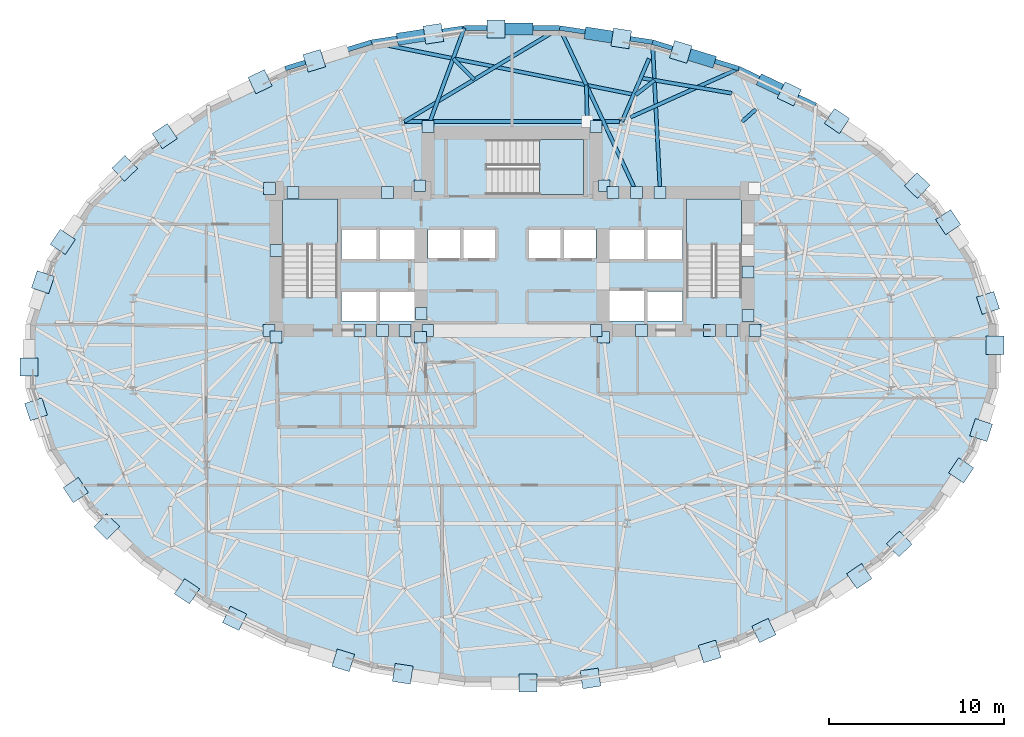
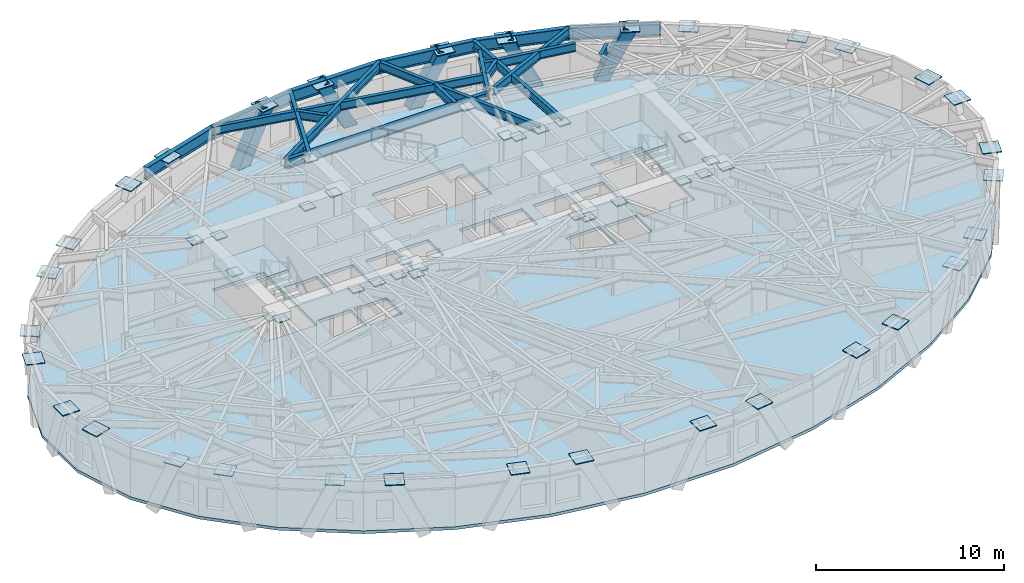
# One storey, part 5 of 14: 59 plates, 19 beams, 5 members, 4 slabs, 3 elements without a shape of their own.
"""IFC4 building model written with IfcOpenShell, lengths in metres."""

from ifc_helpers import new_model, si_unit, direction, frame, origin, origin_2d, place, context, subcontext, project, spatial, polyline, rectangle, hollow_rectangle, i_section, outline, extrude, material, layer, layer_set, material_profile, profile_set, type_object, element, aggregate, save


model = new_model("IFC4")

# Units and contexts
model_context = context("Model", 3, precision=1e-05, world=origin(), true_north=direction((0.0, 1.0)))
body_context = subcontext(model_context, "Body", "Model", "MODEL_VIEW")
ifc_project = project(units=[si_unit("LENGTHUNIT", "METRE"), si_unit("AREAUNIT", "SQUARE_METRE"), si_unit("VOLUMEUNIT", "CUBIC_METRE"), si_unit("PLANEANGLEUNIT", "RADIAN"), si_unit("MASSUNIT", "GRAM", prefix="KILO")], contexts=[model_context])

# Site, building, storey
site_placement = place(None, origin())
site = spatial("IfcSite", under=ifc_project, at=site_placement, CompositionType="ELEMENT")
building_placement = place(site_placement, origin())
building = spatial("IfcBuilding", under=site, at=building_placement, Name="Keldmark Tower", CompositionType="ELEMENT")
storey_placement = place(building_placement, frame((0.0, 0.0, 107.10009765625)))
storey = spatial("IfcBuildingStorey", under=building, at=storey_placement, Name="L28", CompositionType="ELEMENT", Elevation=107.10009765625)

# Members
ifc_material_1 = material(Name="Steel ASTM A572 Grade 50", Category="steel")
ifc_material_profile_1 = material_profile(ifc_material_1, hollow_rectangle(XDim=0.699951171875, YDim=0.699951171875, WallThickness=0.044921875, at=origin_2d()), Name="BOX700X700X45")
ifc_profile_set_1 = profile_set([ifc_material_profile_1], Name="Steel ASTM A572 Grade 50")
member_type = type_object("IfcMemberType", Name="Diagrid Zone 2 Brace BOX700X700X45", PredefinedType="BRACE", material=ifc_profile_set_1)
member_1_placement = place(storey_placement, frame((14.4150390625, 15.720458984375, -0.27001953125), z_axis=(0.384014962148, -0.183387258279, 0.904931832984), x_axis=(0.430935108563, 0.902382918836, 0.0)))
element("IfcMember", 1, at=member_1_placement, inside=storey, type_object=member_type, Name="L28 Perimeter Diagrid Brace 03A", PredefinedType="BRACE", context=body_context, shape_type="SweptSolid", body=[
    extrude(hollow_rectangle(XDim=0.699951171875, YDim=0.699951171875, WallThickness=0.044921875, at=origin_2d()), origin(), (0.0, 0.0, 1.0), 3.823486328125),
])
member_2_placement = place(storey_placement, frame((11.31005859375, 16.9189453125, -0.27001953125), z_axis=(-0.4259762555, 0.130389291317, 0.895289261893), x_axis=(-0.292690457434, -0.956207245385, 0.0)))
element("IfcMember", 2, at=member_2_placement, inside=storey, type_object=member_type, Name="L28 Perimeter Diagrid Brace 03B", PredefinedType="BRACE", context=body_context, shape_type="SweptSolid", body=[
    extrude(hollow_rectangle(XDim=0.699951171875, YDim=0.699951171875, WallThickness=0.044921875, at=origin_2d()), origin(), (0.0, 0.0, 1.0), 3.86474609375),
])
member_3_placement = place(storey_placement, frame((4.484375, 18.46142578125, -0.27001953125), z_axis=(0.454742835075, -0.069170031679, 0.887932689265), x_axis=(0.150378326098, 0.98862852429, 0.0)))
element("IfcMember", 3, at=member_3_placement, inside=storey, type_object=member_type, Name="L28 Perimeter Diagrid Brace 04A", PredefinedType="BRACE", context=body_context, shape_type="SweptSolid", body=[
    extrude(hollow_rectangle(XDim=0.699951171875, YDim=0.699951171875, WallThickness=0.044921875, at=origin_2d()), origin(), (0.0, 0.0, 1.0), 3.896728515625),
])
member_4_placement = place(storey_placement, frame((0.904052734375, 18.728759765625, -0.27001953125), z_axis=(-0.465504471346, 0.0, 0.885045528296), x_axis=(0.0, -1.0, 0.0)))
element("IfcMember", 4, at=member_4_placement, inside=storey, type_object=member_type, Name="L28 Perimeter Diagrid Brace 04B", PredefinedType="BRACE", context=body_context, shape_type="SweptSolid", body=[
    extrude(hollow_rectangle(XDim=0.699951171875, YDim=0.699951171875, WallThickness=0.044921875, at=origin_2d()), origin(), (0.0, 0.0, 1.0), 3.909423828125),
])
member_5_placement = place(storey_placement, frame((-6.267822265625, 18.189453125, -0.27001953125), z_axis=(0.454742835075, 0.069170031679, 0.887932689265), x_axis=(-0.150378326098, 0.98862852429, 0.0)))
element("IfcMember", 5, at=member_5_placement, inside=storey, type_object=member_type, Name="L28 Perimeter Diagrid Brace 05A", PredefinedType="BRACE", context=body_context, shape_type="SweptSolid", body=[
    extrude(hollow_rectangle(XDim=0.699951171875, YDim=0.699951171875, WallThickness=0.044921875, at=origin_2d()), origin(), (0.0, 0.0, 1.0), 3.896728515625),
])

# Beams
ifc_material_2 = material(Name="Steel ASTM A992 Grade 50", Category="steel")
ifc_material_profile_2 = material_profile(ifc_material_2, i_section(OverallWidth=0.22900390625, OverallDepth=0.612060546875, WebThickness=0.011962890625, FlangeThickness=0.01953125, at=origin_2d()), Name="W24X84")
ifc_profile_set_2 = profile_set([ifc_material_profile_2], Name="Steel ASTM A992 Grade 50")
beam_type_1 = type_object("IfcBeamType", Name="Primary Floor Girder W24X84", PredefinedType="BEAM", material=ifc_profile_set_2)
beam_1_placement = place(storey_placement, frame((6.15869140625, 13.4326171875, 3.00390625), z_axis=(-1.0, 0.0, 0.0), x_axis=(0.0, -1.0, 0.0)))
element("IfcBeam", 6, at=beam_1_placement, inside=storey, type_object=beam_type_1, Name="L28 Floor Ring Girder FG-R03", PredefinedType="BEAM", context=body_context, shape_type="SweptSolid", body=[
    extrude(i_section(OverallWidth=0.22900390625, OverallDepth=0.612060546875, WebThickness=0.011962890625, FlangeThickness=0.01953125, at=origin_2d()), origin(), (0.0, 0.0, 1.0), 12.3173828125),
])
ifc_material_3 = material(Name="Steel ASTM A992 Grade 50", Category="steel")
ifc_material_profile_3 = material_profile(ifc_material_3, i_section(OverallWidth=0.2099609375, OverallDepth=0.537109375, WebThickness=0.010986328125, FlangeThickness=0.017333984375, at=origin_2d()), Name="W21X68")
ifc_profile_set_3 = profile_set([ifc_material_profile_3], Name="Steel ASTM A992 Grade 50")
beam_type_2 = type_object("IfcBeamType", Name="Radial Tie Girder W21X68", PredefinedType="BEAM", material=ifc_profile_set_3)
beam_2_placement = place(storey_placement, frame((13.173583984375, 13.430419921875, 3.04150390625), z_axis=(0.751151083443, 0.660130327922, 0.0), x_axis=(-0.660130327922, 0.751151083443, 0.0)))
element("IfcBeam", 7, at=beam_2_placement, inside=storey, type_object=beam_type_2, Name="L28 Framing Pin Header PH-018", PredefinedType="BEAM", context=body_context, shape_type="SweptSolid", body=[
    extrude(i_section(OverallWidth=0.2099609375, OverallDepth=0.537109375, WebThickness=0.010986328125, FlangeThickness=0.017333984375, at=origin_2d()), origin(), (0.0, 0.0, 1.0), 1.062255859375),
])
beam_3_placement = place(storey_placement, frame((12.98486328125, 16.468017578125, 3.04150390625), z_axis=(-0.912145742508, -0.409866007891, 0.0), x_axis=(0.409866007891, -0.912145742508, 0.0)))
element("IfcBeam", 8, at=beam_3_placement, inside=storey, type_object=beam_type_2, Name="L28 Framing Pin Header PH-019", PredefinedType="BEAM", context=body_context, shape_type="SweptSolid", body=[
    extrude(i_section(OverallWidth=0.2099609375, OverallDepth=0.537109375, WebThickness=0.010986328125, FlangeThickness=0.017333984375, at=origin_2d()), origin(), (0.0, 0.0, 1.0), 6.800048828125),
])
beam_4_placement = place(storey_placement, frame((12.581298828125, 15.053955078125, 3.04150390625), z_axis=(-0.986041156876, 0.166501762596, 0.0), x_axis=(-0.166501762596, -0.986041156876, 0.0)))
element("IfcBeam", 9, at=beam_4_placement, inside=storey, type_object=beam_type_2, Name="L28 Local Collector Chord RT-07C", PredefinedType="BEAM", context=body_context, shape_type="SweptSolid", body=[
    extrude(i_section(OverallWidth=0.2099609375, OverallDepth=0.537109375, WebThickness=0.010986328125, FlangeThickness=0.017333984375, at=origin_2d()), origin(), (0.0, 0.0, 1.0), 5.34619140625),
])
beam_5_placement = place(storey_placement, frame((7.080078125, 14.958740234375, 3.04150390625), z_axis=(0.787685842988, 0.616077115917, 0.0), x_axis=(-0.616077115917, 0.787685842988, 0.0)))
element("IfcBeam", 10, at=beam_5_placement, inside=storey, type_object=beam_type_2, Name="L28 Framing Pin Header PH-020", PredefinedType="BEAM", context=body_context, shape_type="SweptSolid", body=[
    extrude(i_section(OverallWidth=0.2099609375, OverallDepth=0.537109375, WebThickness=0.010986328125, FlangeThickness=0.017333984375, at=origin_2d()), origin(), (0.0, 0.0, 1.0), 1.3671875),
])
beam_6_placement = place(storey_placement, frame((8.485595703125, 9.375, 3.04150390625), z_axis=(-0.051062569851, 0.998695456063, 0.0), x_axis=(-0.998695456063, -0.051062569851, 0.0)))
element("IfcBeam", 11, at=beam_6_placement, inside=storey, type_object=beam_type_2, Name="L28 Perimeter Radial Tie Girder RT-07", PredefinedType="BEAM", context=body_context, shape_type="SweptSolid", body=[
    extrude(i_section(OverallWidth=0.2099609375, OverallDepth=0.537109375, WebThickness=0.010986328125, FlangeThickness=0.017333984375, at=origin_2d()), origin(), (0.0, 0.0, 1.0), 8.61572265625),
])
beam_7_placement = place(storey_placement, frame((6.298828125, 13.4326171875, 3.04150390625), z_axis=(0.395437186935, 0.918493021851, 0.0), x_axis=(-0.918493021851, 0.395437186935, 0.0)))
element("IfcBeam", 12, at=beam_7_placement, inside=storey, type_object=beam_type_2, Name="L28 North Column Cantilever Girder East FG-TCN-E", PredefinedType="BEAM", context=body_context, shape_type="SweptSolid", body=[
    extrude(i_section(OverallWidth=0.2099609375, OverallDepth=0.537109375, WebThickness=0.010986328125, FlangeThickness=0.017333984375, at=origin_2d()), origin(), (0.0, 0.0, 1.0), 3.919921875),
])
beam_8_placement = place(storey_placement, frame((7.080078125, 14.958740234375, 3.04150390625), z_axis=(-0.980635427307, 0.195842178066, 0.0), x_axis=(-0.195842178066, -0.980635427307, 0.0)))
element("IfcBeam", 13, at=beam_8_placement, inside=storey, type_object=beam_type_2, Name="L28 Straddling Support Chord RT-08RB", PredefinedType="BEAM", context=body_context, shape_type="SweptSolid", body=[
    extrude(i_section(OverallWidth=0.2099609375, OverallDepth=0.537109375, WebThickness=0.010986328125, FlangeThickness=0.017333984375, at=origin_2d()), origin(), (0.0, 0.0, 1.0), 15.42431640625),
])
beam_9_placement = place(storey_placement, frame((4.311279296875, 13.4326171875, 3.04150390625), z_axis=(-0.025922835673, 0.999663946829, 0.0), x_axis=(-0.999663946829, -0.025922835673, 0.0)))
element("IfcBeam", 14, at=beam_9_placement, inside=storey, type_object=beam_type_2, Name="L28 Framing Pin Header PH-048", PredefinedType="BEAM", context=body_context, shape_type="SweptSolid", body=[
    extrude(i_section(OverallWidth=0.2099609375, OverallDepth=0.537109375, WebThickness=0.010986328125, FlangeThickness=0.017333984375, at=origin_2d()), origin(), (0.0, 0.0, 1.0), 2.0908203125),
])
beam_10_placement = place(storey_placement, frame((7.132080078125, 9.375, 3.04150390625), z_axis=(-0.423632565265, 0.905834118174, 0.0), x_axis=(-0.905834118174, -0.423632565265, 0.0)))
element("IfcBeam", 15, at=beam_10_placement, inside=storey, type_object=beam_type_2, Name="L28 Perimeter Radial Tie Girder RT-08R", PredefinedType="BEAM", context=body_context, shape_type="SweptSolid", body=[
    extrude(i_section(OverallWidth=0.2099609375, OverallDepth=0.537109375, WebThickness=0.010986328125, FlangeThickness=0.017333984375, at=origin_2d()), origin(), (0.0, 0.0, 1.0), 10.391845703125),
])
beam_11_placement = place(storey_placement, frame((2.729736328125, 18.788330078125, 3.04150390625), z_axis=(-0.856528221623, -0.516100189462, 0.0), x_axis=(0.516100189462, -0.856528221623, 0.0)))
element("IfcBeam", 16, at=beam_11_placement, inside=storey, type_object=beam_type_2, Name="L28 Straddling Support Chord RT-09RB", PredefinedType="BEAM", context=body_context, shape_type="SweptSolid", body=[
    extrude(i_section(OverallWidth=0.2099609375, OverallDepth=0.537109375, WebThickness=0.010986328125, FlangeThickness=0.017333984375, at=origin_2d()), origin(), (0.0, 0.0, 1.0), 10.377197265625),
])
beam_12_placement = place(storey_placement, frame((-2.158935546875, 15.8427734375, 3.04150390625), z_axis=(-0.709391899272, 0.704814254429, 0.0), x_axis=(-0.704814254429, -0.709391899272, 0.0)))
element("IfcBeam", 17, at=beam_12_placement, inside=storey, type_object=beam_type_2, Name="L28 Framing Pin Header PH-049", PredefinedType="BEAM", context=body_context, shape_type="SweptSolid", body=[
    extrude(i_section(OverallWidth=0.2099609375, OverallDepth=0.537109375, WebThickness=0.010986328125, FlangeThickness=0.017333984375, at=origin_2d()), origin(), (0.0, 0.0, 1.0), 1.70654296875),
])
beam_13_placement = place(storey_placement, frame((-4.800048828125, 13.14990234375, 3.04150390625), z_axis=(0.344678591082, 0.938720761915, 0.0), x_axis=(-0.938720761915, 0.344678591082, 0.0)))
element("IfcBeam", 18, at=beam_13_placement, inside=storey, type_object=beam_type_2, Name="L28 Perimeter Radial Tie Girder RT-09R", PredefinedType="BEAM", context=body_context, shape_type="SweptSolid", body=[
    extrude(i_section(OverallWidth=0.2099609375, OverallDepth=0.537109375, WebThickness=0.010986328125, FlangeThickness=0.017333984375, at=origin_2d()), origin(), (0.0, 0.0, 1.0), 6.006591796875),
])
ifc_material_4 = material(Name="Steel ASTM A992 Grade 50", Category="steel")
ifc_material_profile_4 = material_profile(ifc_material_4, i_section(OverallWidth=0.26806640625, OverallDepth=0.77001953125, WebThickness=0.015625, FlangeThickness=0.025390625, at=origin_2d()), Name="W30X132")
ifc_profile_set_4 = profile_set([ifc_material_profile_4], Name="Steel ASTM A992 Grade 50")
beam_type_3 = type_object("IfcBeamType", Name="Spandrel Ring Beam W30X132", PredefinedType="SPANDREL", material=ifc_profile_set_4)
beam_14_placement = place(storey_placement, frame((17.389892578125, 14.3642578125, 2.9248046875), z_axis=(-0.902372757907, 0.430956385018, 0.0), x_axis=(-0.430956385018, -0.902372757907, 0.0)))
element("IfcBeam", 19, at=beam_14_placement, inside=storey, type_object=beam_type_3, Name="L28 Perimeter Spandrel Ring Beam SRB-05", PredefinedType="SPANDREL", context=body_context, shape_type="SweptSolid", body=[
    extrude(i_section(OverallWidth=0.26806640625, OverallDepth=0.77001953125, WebThickness=0.015625, FlangeThickness=0.025390625, at=origin_2d()), origin(), (0.0, 0.0, 1.0), 4.881591796875),
])
beam_15_placement = place(storey_placement, frame((12.98486328125, 16.468017578125, 2.9248046875), z_axis=(-0.956228569431, 0.292620783617, 0.0), x_axis=(-0.292620783617, -0.956228569431, 0.0)))
element("IfcBeam", 20, at=beam_15_placement, inside=storey, type_object=beam_type_3, Name="L28 Perimeter Spandrel Ring Beam SRB-06", PredefinedType="SPANDREL", context=body_context, shape_type="SweptSolid", body=[
    extrude(i_section(OverallWidth=0.26806640625, OverallDepth=0.77001953125, WebThickness=0.015625, FlangeThickness=0.025390625, at=origin_2d()), origin(), (0.0, 0.0, 1.0), 5.165283203125),
])
beam_16_placement = place(storey_placement, frame((8.045654296875, 17.9794921875, 2.9248046875), z_axis=(-0.988621773192, 0.150422702975, 0.0), x_axis=(-0.150422702975, -0.988621773192, 0.0)))
element("IfcBeam", 21, at=beam_16_placement, inside=storey, type_object=beam_type_3, Name="L28 Perimeter Spandrel Ring Beam SRB-07", PredefinedType="SPANDREL", context=body_context, shape_type="SweptSolid", body=[
    extrude(i_section(OverallWidth=0.26806640625, OverallDepth=0.77001953125, WebThickness=0.015625, FlangeThickness=0.025390625, at=origin_2d()), origin(), (0.0, 0.0, 1.0), 5.377197265625),
])
beam_17_placement = place(storey_placement, frame((2.729736328125, 18.788330078125, 2.9248046875), z_axis=(-1.0, 0.0, 0.0), x_axis=(0.0, -1.0, 0.0)))
element("IfcBeam", 22, at=beam_17_placement, inside=storey, type_object=beam_type_3, Name="L28 Perimeter Spandrel Ring Beam SRB-08", PredefinedType="SPANDREL", context=body_context, shape_type="SweptSolid", body=[
    extrude(i_section(OverallWidth=0.26806640625, OverallDepth=0.77001953125, WebThickness=0.015625, FlangeThickness=0.025390625, at=origin_2d()), origin(), (0.0, 0.0, 1.0), 5.45947265625),
])
beam_18_placement = place(storey_placement, frame((-2.729736328125, 18.788330078125, 2.9248046875), z_axis=(-0.988621773192, -0.150422702975, 0.0), x_axis=(0.150422702975, -0.988621773192, 0.0)))
element("IfcBeam", 23, at=beam_18_placement, inside=storey, type_object=beam_type_3, Name="L28 Perimeter Spandrel Ring Beam SRB-09", PredefinedType="SPANDREL", context=body_context, shape_type="SweptSolid", body=[
    extrude(i_section(OverallWidth=0.26806640625, OverallDepth=0.77001953125, WebThickness=0.015625, FlangeThickness=0.025390625, at=origin_2d()), origin(), (0.0, 0.0, 1.0), 5.377197265625),
])
beam_19_placement = place(storey_placement, frame((-8.045654296875, 17.9794921875, 2.9248046875), z_axis=(-0.956228569431, -0.292620783617, 0.0), x_axis=(0.292620783617, -0.956228569431, 0.0)))
element("IfcBeam", 24, at=beam_19_placement, inside=storey, type_object=beam_type_3, Name="L28 Perimeter Spandrel Ring Beam SRB-10", PredefinedType="SPANDREL", context=body_context, shape_type="SweptSolid", body=[
    extrude(i_section(OverallWidth=0.26806640625, OverallDepth=0.77001953125, WebThickness=0.015625, FlangeThickness=0.025390625, at=origin_2d()), origin(), (0.0, 0.0, 1.0), 5.165283203125),
])

# Plates
ifc_material_5 = material(Name="Steel ASTM A572 Grade 50", Category="steel")
ifc_layer_1 = layer(ifc_material_5, 0.06005859375)
ifc_layer_set_1 = layer_set([ifc_layer_1], Name="Steel ASTM A572 Grade 50")
plate_type_1 = type_object("IfcPlateType", Name="Belt Truss Kink Node Assembly KN01 60 mm", PredefinedType="USERDEFINED", material=ifc_layer_set_1)
for number, where, z_axis, x_axis, name in (
    (25, (13.91162109375, 1.473388671875, 3.01416015625), (0.0, 0.0, 1.0), (1.0, 0.0, 0.0), "L28 Core Wall Cast-In Embed Plate 777"),
    (26, (5.28515625, 9.758544921875, 3.01416015625), (0.0, 0.0, 1.0), (1.0, 0.0, 0.0), "L28 Core Wall Cast-In Embed Plate 779"),
    (27, (-5.28515625, 9.758544921875, 3.01416015625), (0.0, 0.0, 1.0), (1.0, 0.0, 0.0), "L28 Core Wall Cast-In Embed Plate 780"),
    (28, (-13.878173828125, 9.608154296875, 3.01416015625), (0.0, 0.0, 1.0), (1.0, 0.0, 0.0), "L28 Core Wall Cast-In Embed Plate 781"),
    (29, (-13.91162109375, 1.473388671875, 3.01416015625), (0.0, 0.0, 1.0), (1.0, 0.0, 0.0), "L28 Core Wall Cast-In Embed Plate 782"),
    (30, (-5.24072265625, 1.08251953125, 3.01416015625), (0.0, 0.0, 1.0), (1.0, 0.0, 0.0), "L28 Core Wall Cast-In Embed Plate 783"),
    (31, (5.24072265625, 1.08251953125, 3.01416015625), (0.0, 0.0, 1.0), (1.0, 0.0, 0.0), "L28 Core Wall Cast-In Embed Plate 784"),
    (32, (4.800048828125, 13.14990234375, 3.01416015625), (0.0, 0.0, 1.0), (1.0, 0.0, 0.0), "L28 Core Wall Cast-In Embed Plate 785"),
    (33, (-7.132080078125, 9.375, 3.01416015625), (0.0, 0.0, 1.0), (1.0, 0.0, 0.0), "L28 Core Wall Cast-In Embed Plate 786"),
    (34, (-4.800048828125, 13.14990234375, 3.01416015625), (0.0, 0.0, 1.0), (1.0, 0.0, 0.0), "L28 Core Wall Cast-In Embed Plate 787"),
    (35, (-7.41796875, 1.47509765625, 3.01416015625), (0.0, 0.0, 1.0), (1.0, 0.0, 0.0), "L28 Core Wall Cast-In Embed Plate 788"),
    (36, (12.603515625, 1.47509765625, 3.01416015625), (0.0, 0.0, 1.0), (1.0, 0.0, 0.0), "L28 Core Wall Cast-In Embed Plate 789"),
    (37, (13.52490234375, 4.80712890625, 3.01416015625), (0.0, 0.0, 1.0), (1.0, 0.0, 0.0), "L28 Core Wall Cast-In Embed Plate 790"),
    (38, (5.778564453125, 9.375, 3.01416015625), (0.0, 0.0, 1.0), (1.0, 0.0, 0.0), "L28 Core Wall Cast-In Embed Plate 792"),
    (39, (8.485595703125, 9.375, 3.01416015625), (0.0, 0.0, 1.0), (1.0, 0.0, 0.0), "L28 Core Wall Cast-In Embed Plate 793"),
    (40, (-12.54638671875, 9.375, 3.01416015625), (0.0, 0.0, 1.0), (1.0, 0.0, 0.0), "L28 Core Wall Cast-In Embed Plate 794"),
    (41, (-13.52490234375, 6.04296875, 3.01416015625), (0.0, 0.0, 1.0), (1.0, 0.0, 0.0), "L28 Core Wall Cast-In Embed Plate 795"),
    (42, (-13.52490234375, 1.10009765625, 3.01416015625), (0.0, 0.0, 1.0), (1.0, 0.0, 0.0), "L28 Core Wall Cast-In Embed Plate 796"),
    (43, (4.824951171875, 1.47509765625, 3.01416015625), (0.0, 0.0, 1.0), (1.0, 0.0, 0.0), "L28 Core Wall Cast-In Embed Plate 797"),
    (44, (-8.71435546875, 1.47509765625, 3.01416015625), (0.0, 0.0, 1.0), (1.0, 0.0, 0.0), "L28 Core Wall Cast-In Embed Plate 798"),
    (45, (-6.121337890625, 1.47509765625, 3.01416015625), (0.0, 0.0, 1.0), (1.0, 0.0, 0.0), "L28 Core Wall Cast-In Embed Plate 799"),
    (46, (7.41796875, 1.47509765625, 3.01416015625), (0.0, 0.0, 1.0), (1.0, 0.0, 0.0), "L28 Core Wall Cast-In Embed Plate 800"),
    (47, (-5.199951171875, 2.449951171875, 3.01416015625), (0.0, 0.0, 1.0), (1.0, 0.0, 0.0), "L28 Core Wall Cast-In Embed Plate 801"),
    (48, (11.30712890625, 1.47509765625, 3.01416015625), (0.0, 0.0, 1.0), (1.0, 0.0, 0.0), "L28 Core Wall Cast-In Embed Plate 802"),
    (49, (-4.824951171875, 1.47509765625, 3.01416015625), (0.0, 0.0, 1.0), (1.0, 0.0, 0.0), "L28 Core Wall Cast-In Embed Plate 803"),
    (50, (13.52490234375, 2.335693359375, 3.01416015625), (0.0, 0.0, 1.0), (1.0, 0.0, 0.0), "L28 Core Wall Cast-In Embed Plate 804"),
    (51, (7.132080078125, 9.375, 3.01416015625), (0.0, 0.0, 1.0), (1.0, 0.0, 0.0), "L28 Core Wall Cast-In Embed Plate 807"),
):
    element("IfcPlate", number, at=place(storey_placement, frame(where, z_axis=z_axis, x_axis=x_axis)), inside=storey, type_object=plate_type_1, Name=name, ObjectType="CAP PLATE", PredefinedType="USERDEFINED", context=body_context, shape_type="SweptSolid", body=[
        extrude(rectangle(XDim=0.679931640625, YDim=0.679931640625, at=origin_2d()), origin(), (0.0, 0.0, 1.0), 0.054931640625),
    ])
ifc_material_6 = material(Name="Steel ASTM A572 Grade 50", Category="steel")
ifc_layer_2 = layer(ifc_material_6, 0.054931640625)
ifc_layer_set_2 = layer_set([ifc_layer_2], Name="Steel ASTM A572 Grade 50")
plate_type_2 = type_object("IfcPlateType", Name="Diagrid Node Assembly DN03 55 mm", PredefinedType="USERDEFINED", material=ifc_layer_set_2)
for number, where, z_axis, x_axis, name in (
    (52, (27.25830078125, 3.0458984375, 3.16259765625), (0.0, 0.0, 1.0), (-0.314323848843, 0.949315815758, 0.0), "L28 Diagrid Node Assembly 01"),
    (53, (24.978759765625, 7.6689453125, 3.16259765625), (0.0, 0.0, 1.0), (-0.554263478737, 0.832341273841, 0.0), "L28 Diagrid Node Assembly 02"),
    (54, (23.20556640625, 9.76953125, 3.16259765625), (0.0, 0.0, 1.0), (-0.72055111168, 0.693401828276, 0.0), "L28 Diagrid Node Assembly 03"),
    (55, (18.610107421875, 13.467529296875, 3.16259765625), (0.0, 0.0, 1.0), (-0.827766671236, 0.56107248907, 0.0), "L28 Diagrid Node Assembly 04"),
    (56, (15.88330078125, 15.019287109375, 3.16259765625), (0.0, 0.0, 1.0), (-0.902359745553, 0.430983630323, 0.0), "L28 Diagrid Node Assembly 05"),
    (57, (9.663818359375, 17.4228515625, 3.16259765625), (0.0, 0.0, 1.0), (-0.956202640726, 0.292705500237, 0.0), "L28 Diagrid Node Assembly 06"),
    (58, (6.25634765625, 18.19189453125, 3.16259765625), (0.0, 0.0, 1.0), (-0.988625510369, 0.150398139113, 0.0), "L28 Diagrid Node Assembly 07"),
    (59, (-0.915771484375, 18.728759765625, 3.16259765625), (0.0, 0.0, 1.0), (-1.0, 0.0, 0.0), "L28 Diagrid Node Assembly 08"),
    (60, (-4.495849609375, 18.458984375, 3.16259765625), (0.0, 0.0, 1.0), (-0.988625510369, -0.150398139113, 0.0), "L28 Diagrid Node Assembly 09"),
    (61, (-11.321044921875, 16.91455078125, 3.16259765625), (0.0, 0.0, 1.0), (-0.956202640726, -0.292705500237, 0.0), "L28 Diagrid Node Assembly 10"),
    (62, (-14.4248046875, 15.7138671875, 3.16259765625), (0.0, 0.0, 1.0), (-0.902359745553, -0.430983630323, 0.0), "L28 Diagrid Node Assembly 11"),
    (63, (-19.885009765625, 12.6005859375, 3.16259765625), (0.0, 0.0, 1.0), (-0.827766671236, -0.56107248907, 0.0), "L28 Diagrid Node Assembly 12"),
    (64, (-22.177490234375, 10.7548828125, 3.16259765625), (0.0, 0.0, 1.0), (-0.72055111168, -0.693401828276, 0.0), "L28 Diagrid Node Assembly 13"),
    (65, (-25.7265625, 6.5419921875, 3.16259765625), (0.0, 0.0, 1.0), (-0.554263478737, -0.832341273841, 0.0), "L28 Diagrid Node Assembly 14"),
    (66, (-26.863037109375, 4.235595703125, 3.16259765625), (0.0, 0.0, 1.0), (-0.314323848843, -0.949315815758, 0.0), "L28 Diagrid Node Assembly 15"),
    (67, (-27.656005859375, -0.622802734375, 3.16259765625), (0.0, 0.0, 1.0), (0.0, -1.0, 0.0), "L28 Diagrid Node Assembly 16"),
    (68, (-27.25830078125, -3.0458984375, 3.16259765625), (0.0, 0.0, 1.0), (0.314323848843, -0.949315815758, 0.0), "L28 Diagrid Node Assembly 17"),
    (69, (-24.978759765625, -7.6689453125, 3.16259765625), (0.0, 0.0, 1.0), (0.554263478737, -0.832341273841, 0.0), "L28 Diagrid Node Assembly 18"),
    (70, (-23.20556640625, -9.76953125, 3.16259765625), (0.0, 0.0, 1.0), (0.72055111168, -0.693401828276, 0.0), "L28 Diagrid Node Assembly 19"),
    (71, (-18.610107421875, -13.467529296875, 3.16259765625), (0.0, 0.0, 1.0), (0.827766671236, -0.56107248907, 0.0), "L28 Diagrid Node Assembly 20"),
    (72, (-15.88330078125, -15.019287109375, 3.16259765625), (0.0, 0.0, 1.0), (0.902359745553, -0.430983630323, 0.0), "L28 Diagrid Node Assembly 21"),
    (73, (-9.663818359375, -17.4228515625, 3.16259765625), (0.0, 0.0, 1.0), (0.956202640726, -0.292705500237, 0.0), "L28 Diagrid Node Assembly 22"),
    (74, (-6.25634765625, -18.19189453125, 3.16259765625), (0.0, 0.0, 1.0), (0.988625510369, -0.150398139113, 0.0), "L28 Diagrid Node Assembly 23"),
    (75, (0.915771484375, -18.728759765625, 3.16259765625), (0.0, 0.0, 1.0), (1.0, 0.0, 0.0), "L28 Diagrid Node Assembly 24"),
    (76, (4.495849609375, -18.458984375, 3.16259765625), (0.0, 0.0, 1.0), (0.988625510369, 0.150398139113, 0.0), "L28 Diagrid Node Assembly 25"),
    (77, (11.321044921875, -16.91455078125, 3.16259765625), (0.0, 0.0, 1.0), (0.956202640726, 0.292705500237, 0.0), "L28 Diagrid Node Assembly 26"),
    (78, (14.4248046875, -15.7138671875, 3.16259765625), (0.0, 0.0, 1.0), (0.902359745553, 0.430983630323, 0.0), "L28 Diagrid Node Assembly 27"),
    (79, (19.885009765625, -12.6005859375, 3.16259765625), (0.0, 0.0, 1.0), (0.827766671236, 0.56107248907, 0.0), "L28 Diagrid Node Assembly 28"),
    (80, (22.177490234375, -10.7548828125, 3.16259765625), (0.0, 0.0, 1.0), (0.72055111168, 0.693401828276, 0.0), "L28 Diagrid Node Assembly 29"),
    (81, (25.7265625, -6.5419921875, 3.16259765625), (0.0, 0.0, 1.0), (0.554263478737, 0.832341273841, 0.0), "L28 Diagrid Node Assembly 30"),
    (82, (26.863037109375, -4.235595703125, 3.16259765625), (0.0, 0.0, 1.0), (0.314323848843, 0.949315815758, 0.0), "L28 Diagrid Node Assembly 31"),
    (83, (27.656005859375, 0.622802734375, 3.16259765625), (0.0, 0.0, 1.0), (0.0, 1.0, 0.0), "L28 Diagrid Node Assembly 32"),
):
    element("IfcPlate", number, at=place(storey_placement, frame(where, z_axis=z_axis, x_axis=x_axis)), inside=storey, type_object=plate_type_2, Name=name, ObjectType="GUSSET", PredefinedType="USERDEFINED", context=body_context, shape_type="SweptSolid", body=[
        extrude(rectangle(XDim=1.0400390625, YDim=1.0400390625, at=origin_2d()), origin(), (0.0, 0.0, 1.0), 0.054931640625),
    ])

# Slab
ifc_material_7 = material(Name="Concrete C35/45", Category="concrete")
ifc_layer_3 = layer(ifc_material_7, 0.18994140625)
ifc_layer_set_3 = layer_set([ifc_layer_3], Name="Concrete C35/45")
slab_type_1 = type_object("IfcSlabType", Name="Mid-Rise Office Composite Slab 190 mm", PredefinedType="FLOOR", material=ifc_layer_set_3)
slab_1_placement = place(storey_placement, frame((0.0, 0.0, -0.190185546875)))
element("IfcSlab", 84, at=slab_1_placement, inside=storey, type_object=slab_type_1, Name="L28 Composite Structural Floor Slab", PredefinedType="FLOOR", context=body_context, shape_type="SweptSolid", body=[
    extrude(outline(polyline([(27.7158203125, 1.8505859375), (26.522705078125, 5.4541015625), (24.29296875, 8.802490234375), (21.189697265625, 11.78857421875), (17.389892578125, 14.3642578125), (12.98486328125, 16.468017578125), (8.045654296875, 17.9794921875), (2.729736328125, 18.788330078125), (-2.729736328125, 18.788330078125), (-8.045654296875, 17.9794921875), (-12.98486328125, 16.468017578125), (-17.389892578125, 14.3642578125), (-21.189697265625, 11.78857421875), (-24.29296875, 8.802490234375), (-26.522705078125, 5.4541015625), (-27.7158203125, 1.8505859375), (-27.7158203125, -1.8505859375), (-26.522705078125, -5.4541015625), (-24.29296875, -8.802490234375), (-21.189697265625, -11.78857421875), (-17.389892578125, -14.3642578125), (-12.98486328125, -16.468017578125), (-8.045654296875, -17.9794921875), (-2.729736328125, -18.788330078125), (2.729736328125, -18.788330078125), (8.045654296875, -17.9794921875), (12.98486328125, -16.468017578125), (17.389892578125, -14.3642578125), (21.189697265625, -11.78857421875), (24.29296875, -8.802490234375), (26.522705078125, -5.4541015625), (27.7158203125, -1.8505859375), (27.7158203125, 1.8505859375)]), holes=[polyline([(-10.0, 3.385009765625), (-10.0, 9.0), (-13.14990234375, 9.0), (-13.14990234375, 3.385009765625), (-10.0, 3.385009765625)]), polyline([(13.14990234375, 3.385009765625), (13.14990234375, 9.0), (10.0, 9.0), (10.0, 3.385009765625), (13.14990234375, 3.385009765625)]), polyline([(-1.43994140625, 9.25), (4.10498046875, 9.25), (4.10498046875, 12.39990234375), (-1.43994140625, 12.39990234375), (-1.43994140625, 9.25)]), polyline([(-9.75, 2.0), (-7.75, 2.0), (-7.75, 3.699951171875), (-9.75, 3.699951171875), (-9.75, 2.0)]), polyline([(7.75, 2.0), (9.75, 2.0), (9.75, 3.699951171875), (7.75, 3.699951171875), (7.75, 2.0)]), polyline([(5.449951171875, 2.0), (7.550048828125, 2.0), (7.550048828125, 3.75), (5.449951171875, 3.75), (5.449951171875, 2.0)]), polyline([(-4.800048828125, 5.60009765625), (-2.949951171875, 5.60009765625), (-2.949951171875, 7.25), (-4.800048828125, 7.25), (-4.800048828125, 5.60009765625)]), polyline([(-2.800048828125, 5.60009765625), (-0.949951171875, 5.60009765625), (-0.949951171875, 7.25), (-2.800048828125, 7.25), (-2.800048828125, 5.60009765625)]), polyline([(0.949951171875, 5.60009765625), (2.800048828125, 5.60009765625), (2.800048828125, 7.25), (0.949951171875, 7.25), (0.949951171875, 5.60009765625)]), polyline([(2.949951171875, 5.60009765625), (4.800048828125, 5.60009765625), (4.800048828125, 7.25), (2.949951171875, 7.25), (2.949951171875, 5.60009765625)]), polyline([(-9.75, 5.550048828125), (-7.75, 5.550048828125), (-7.75, 7.25), (-9.75, 7.25), (-9.75, 5.550048828125)]), polyline([(-7.550048828125, 5.550048828125), (-5.550048828125, 5.550048828125), (-5.550048828125, 7.25), (-7.550048828125, 7.25), (-7.550048828125, 5.550048828125)]), polyline([(-7.550048828125, 2.0), (-5.550048828125, 2.0), (-5.550048828125, 3.699951171875), (-7.550048828125, 3.699951171875), (-7.550048828125, 2.0)]), polyline([(5.449951171875, 5.550048828125), (7.550048828125, 5.550048828125), (7.550048828125, 7.25), (5.449951171875, 7.25), (5.449951171875, 5.550048828125)]), polyline([(7.75, 5.550048828125), (9.75, 5.550048828125), (9.75, 7.25), (7.75, 7.25), (7.75, 5.550048828125)])]), origin(), (0.0, 0.0, 1.0), 0.190185546875),
])

# Stair, slab
ifc_material_8 = material(Name="Concrete C40/50", Category="concrete")
stair_type = type_object("IfcStairType", Name="Precast Concrete Core Exit Stair", PredefinedType="HALF_TURN_STAIR", material=ifc_material_8)
stair_1_placement = place(storey_placement, origin())
stair_1 = element("IfcStair", 85, at=stair_1_placement, inside=storey, type_object=stair_type, Name="L28 Exit Stair ST1", PredefinedType="HALF_TURN_STAIR")
ifc_material_9 = material(Name="Concrete C40/50", Category="concrete")
ifc_layer_4 = layer(ifc_material_9, 0.199951171875)
ifc_layer_set_4 = layer_set([ifc_layer_4], Name="Concrete C40/50")
slab_type_2 = type_object("IfcSlabType", Name="Reinforced Concrete Stair Landing 200 mm", PredefinedType="LANDING", material=ifc_layer_set_4)
slab_2_placement = place(storey_placement, frame((0.0, 0.0, 1.5498046875)))
slab_2 = element("IfcSlab", 86, at=slab_2_placement, type_object=slab_type_2, Name="ST1 landing 1", PredefinedType="LANDING", context=body_context, shape_type="SweptSolid", body=[
    extrude(outline(polyline([(-10.0, 6.389892578125), (-10.0, 9.0), (-13.14990234375, 9.0), (-13.14990234375, 6.389892578125), (-10.0, 6.389892578125)])), origin(), (0.0, 0.0, 1.0), 0.2001953125),
])
aggregate(stair_1, [slab_2])

stair_2_placement = place(storey_placement, origin())
stair_2 = element("IfcStair", 87, at=stair_2_placement, inside=storey, type_object=stair_type, Name="L28 Exit Stair ST2", PredefinedType="HALF_TURN_STAIR")
slab_3_placement = place(storey_placement, frame((0.0, 0.0, 1.5498046875)))
slab_3 = element("IfcSlab", 88, at=slab_3_placement, type_object=slab_type_2, Name="ST2 landing 1", PredefinedType="LANDING", context=body_context, shape_type="SweptSolid", body=[
    extrude(outline(polyline([(13.14990234375, 6.389892578125), (13.14990234375, 9.0), (10.0, 9.0), (10.0, 6.389892578125), (13.14990234375, 6.389892578125)])), origin(), (0.0, 0.0, 1.0), 0.2001953125),
])
aggregate(stair_2, [slab_3])

stair_3_placement = place(storey_placement, origin())
stair_3 = element("IfcStair", 89, at=stair_3_placement, inside=storey, type_object=stair_type, Name="L28 Exit Stair ST3", PredefinedType="HALF_TURN_STAIR")
slab_4_placement = place(storey_placement, frame((0.0, 0.0, 1.5498046875)))
slab_4 = element("IfcSlab", 90, at=slab_4_placement, type_object=slab_type_2, Name="ST3 landing 1", PredefinedType="LANDING", context=body_context, shape_type="SweptSolid", body=[
    extrude(outline(polyline([(1.56494140625, 9.25), (4.10498046875, 9.25), (4.10498046875, 12.39990234375), (1.56494140625, 12.39990234375), (1.56494140625, 9.25)])), origin(), (0.0, 0.0, 1.0), 0.2001953125),
])
aggregate(stair_3, [slab_4])

save(model, "model.ifc")
